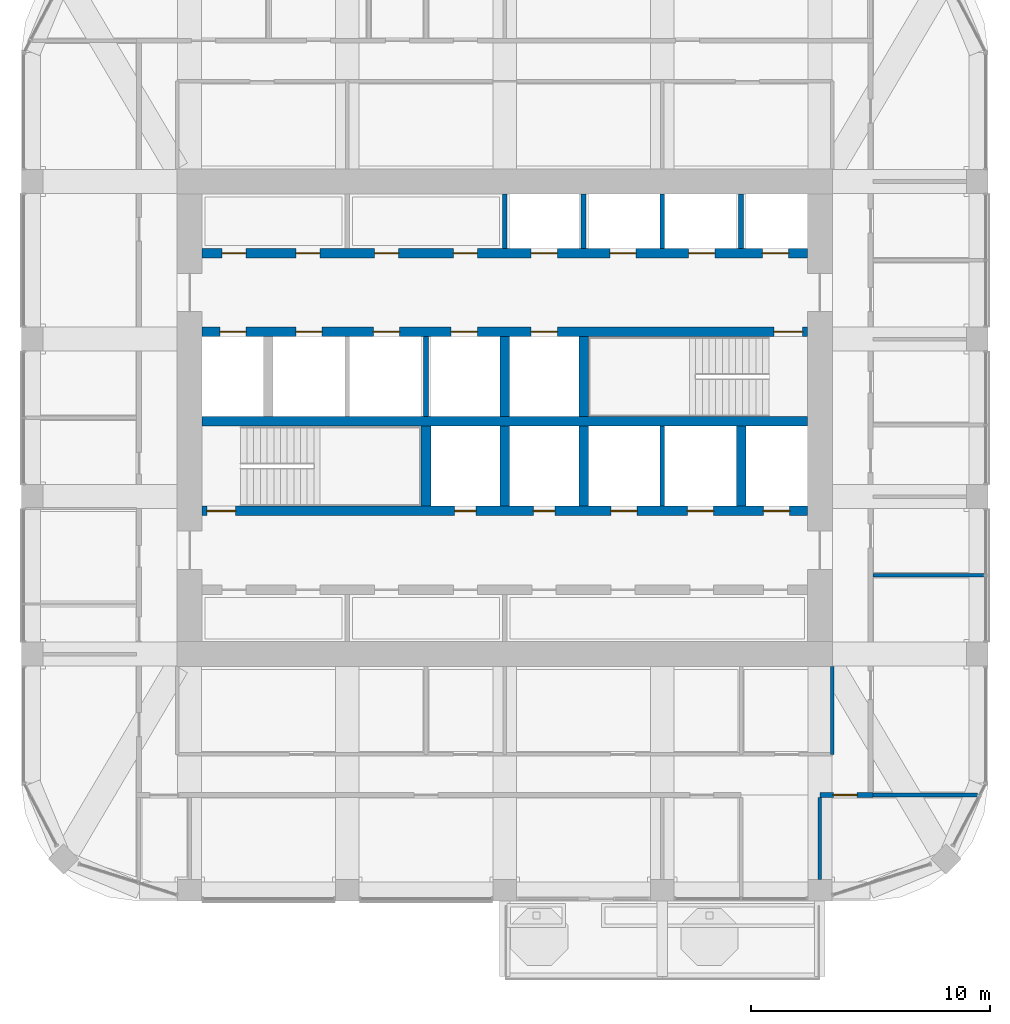
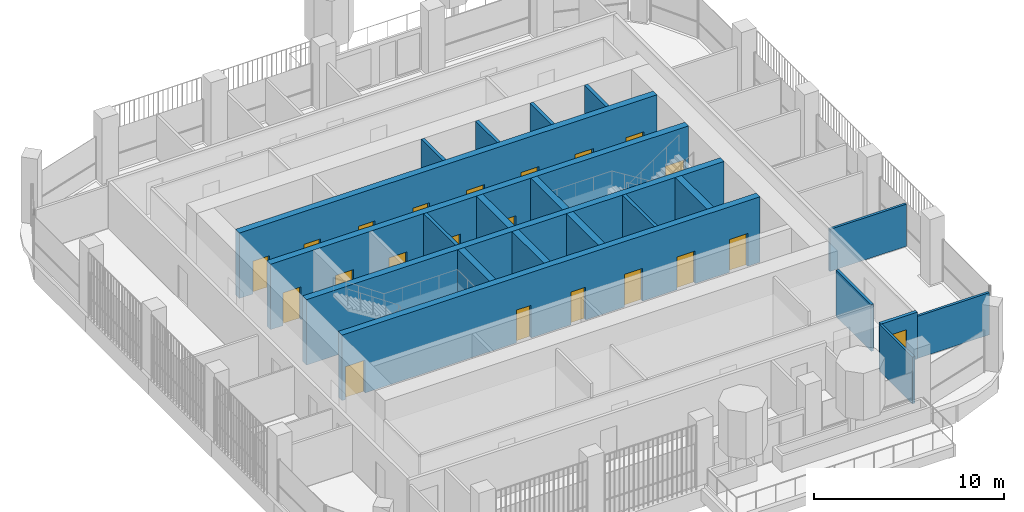
# One storey, part 15 of 21: 21 doors, 21 walls, 21 openings.
"""IFC4 building model written with IfcOpenShell, lengths in metres."""

from ifc_helpers import new_model, si_unit, direction, frame, frame_2d, origin, place, context, subcontext, project, spatial, rectangle, extrude, material, layer, layer_set, type_object, element, fill, save


model = new_model("IFC4")

# Units and contexts
model_context = context("Model", 3, precision=1e-05, world=origin(), true_north=direction((0.0, 1.0)))
body_context = subcontext(model_context, "Body", "Model", "MODEL_VIEW")
ifc_project = project(units=[si_unit("LENGTHUNIT", "METRE"), si_unit("AREAUNIT", "SQUARE_METRE"), si_unit("VOLUMEUNIT", "CUBIC_METRE"), si_unit("PLANEANGLEUNIT", "RADIAN"), si_unit("MASSUNIT", "GRAM", prefix="KILO")], contexts=[model_context])

# Site, building, storey
site_placement = place(None, origin())
site = spatial("IfcSite", under=ifc_project, at=site_placement, CompositionType="ELEMENT")
building_placement = place(site_placement, origin())
building = spatial("IfcBuilding", under=site, at=building_placement, Name="Cobogo Forest Laboratory Tower", CompositionType="ELEMENT")
storey_placement = place(building_placement, frame((0.0, 0.0, 275.39990234375)))
storey = spatial("IfcBuildingStorey", under=building, at=storey_placement, Name="L63", CompositionType="ELEMENT", Elevation=275.39990234375)

# Wall, openings, doors
ifc_material_1 = material(Name="Concrete HA-50 (C50/60)", Category="concrete")
ifc_layer_1 = layer(ifc_material_1, 0.39990234375)
ifc_layer_set_1 = layer_set([ifc_layer_1], Name="CI400 core inner wall 400")
wall_type_1 = type_object("IfcWallType", Name="CI400 core inner wall 400", PredefinedType="SHEAR", material=ifc_layer_set_1)
wall_1_placement = place(storey_placement, frame((13.72509765625, 19.199951171875, 0.0), z_axis=(0.0, 0.0, 1.0), x_axis=(1.0, 0.0, 0.0)))
wall_1 = element("IfcWall", 1, at=wall_1_placement, inside=storey, type_object=wall_type_1, Name="Core wall CI-19.2 L63", PredefinedType="SHEAR", context=body_context, shape_type="SweptSolid", body=[
    extrude(rectangle(XDim=25.349853515625, YDim=0.39990234375, at=frame_2d((12.6748046875, 0.0))), origin(), (0.0, 0.0, 1.0), 4.2001953125),
])
opening_1_placement = place(wall_1_placement, frame((10.574951171875, 0.0, 0.0)))
opening_1 = element("IfcOpeningElement", 2, at=opening_1_placement, cuts=wall_1, Name="Opening L63-D26", PredefinedType="OPENING", context=body_context, shape_type="SweptSolid", body=[
    extrude(rectangle(XDim=0.89990234375, YDim=2.10009765625, at=frame_2d((0.449951171875, 1.050048828125))), frame((0.0, 0.2099609375, 0.0), z_axis=(0.0, -1.0, 0.0), x_axis=(1.0, 0.0, 0.0)), (0.0, 0.0, 1.0), 0.419921875),
])
opening_2_placement = place(wall_1_placement, frame((13.875, 0.0, 0.0)))
opening_2 = element("IfcOpeningElement", 3, at=opening_2_placement, cuts=wall_1, Name="Opening L63-D27", PredefinedType="OPENING", context=body_context, shape_type="SweptSolid", body=[
    extrude(rectangle(XDim=0.89990234375, YDim=2.10009765625, at=frame_2d((0.449951171875, 1.050048828125))), frame((0.0, 0.2099609375, 0.0), z_axis=(0.0, -1.0, 0.0), x_axis=(1.0, 0.0, 0.0)), (0.0, 0.0, 1.0), 0.419921875),
])
opening_3_placement = place(wall_1_placement, frame((0.199951171875, 0.0, 0.0)))
opening_3 = element("IfcOpeningElement", 4, at=opening_3_placement, cuts=wall_1, Name="Opening L63-D25", PredefinedType="OPENING", context=body_context, shape_type="SweptSolid", body=[
    extrude(rectangle(XDim=1.199951171875, YDim=2.10009765625, at=frame_2d((0.60009765625, 1.050048828125))), frame((0.0, 0.2099609375, 0.0), z_axis=(0.0, -1.0, 0.0), x_axis=(1.0, 0.0, 0.0)), (0.0, 0.0, 1.0), 0.419921875),
])
opening_4_placement = place(wall_1_placement, frame((23.512451171875, 0.0, 0.0)))
opening_4 = element("IfcOpeningElement", 5, at=opening_4_placement, cuts=wall_1, Name="Opening L63-LD-FL2", PredefinedType="OPENING", context=body_context, shape_type="SweptSolid", body=[
    extrude(rectangle(XDim=1.10009765625, YDim=2.10009765625, at=frame_2d((0.550048828125, 1.050048828125))), frame((0.0, 0.2099609375, 0.0), z_axis=(0.0, -1.0, 0.0), x_axis=(1.0, 0.0, 0.0)), (0.0, 0.0, 1.0), 0.419921875),
])
opening_5_placement = place(wall_1_placement, frame((17.125, 0.0, 0.0)))
opening_5 = element("IfcOpeningElement", 6, at=opening_5_placement, cuts=wall_1, Name="Opening L63-LD-LS1", PredefinedType="OPENING", context=body_context, shape_type="SweptSolid", body=[
    extrude(rectangle(XDim=1.10009765625, YDim=2.10009765625, at=frame_2d((0.550048828125, 1.050048828125))), frame((0.0, 0.2099609375, 0.0), z_axis=(0.0, -1.0, 0.0), x_axis=(1.0, 0.0, 0.0)), (0.0, 0.0, 1.0), 0.419921875),
])
opening_6_placement = place(wall_1_placement, frame((20.324951171875, 0.0, 0.0)))
opening_6 = element("IfcOpeningElement", 7, at=opening_6_placement, cuts=wall_1, Name="Opening L63-LD-LS2", PredefinedType="OPENING", context=body_context, shape_type="SweptSolid", body=[
    extrude(rectangle(XDim=1.10009765625, YDim=2.10009765625, at=frame_2d((0.550048828125, 1.050048828125))), frame((0.0, 0.2099609375, 0.0), z_axis=(0.0, -1.0, 0.0), x_axis=(1.0, 0.0, 0.0)), (0.0, 0.0, 1.0), 0.419921875),
])
ifc_material_2 = material(Name="Steel fire door", Category="steel")
door_type_1 = type_object("IfcDoorType", Name="DS1 protected stair door 1200 EI2 60", OperationType="SINGLE_SWING_LEFT", PredefinedType="DOOR", material=ifc_material_2)
door_1_placement = place(opening_3_placement, origin())
door_1 = element("IfcDoor", 8, at=door_1_placement, inside=storey, type_object=door_type_1, Name="Door L63-ST1", OperationType="SINGLE_SWING_LEFT", OverallHeight=2.10009765625, OverallWidth=1.199951171875, PredefinedType="DOOR", context=body_context, shape_type="SweptSolid", body=[
    extrude(rectangle(XDim=1.199951171875, YDim=2.10009765625, at=frame_2d((0.60009765625, 1.050048828125))), frame((0.0, 0.02490234375, 0.0), z_axis=(0.0, -1.0, 0.0), x_axis=(1.0, 0.0, 0.0)), (0.0, 0.0, 1.0), 0.050048828125),
])
fill(opening_3, door_1)
door_type_2 = type_object("IfcDoorType", Name="FD4 riser access door 900 EI2 60", OperationType="SINGLE_SWING_LEFT", PredefinedType="DOOR", material=ifc_material_2)
door_2_placement = place(opening_1_placement, origin())
door_2 = element("IfcDoor", 9, at=door_2_placement, inside=storey, type_object=door_type_2, Name="Door L63-R1", OperationType="SINGLE_SWING_LEFT", OverallHeight=2.10009765625, OverallWidth=0.89990234375, PredefinedType="DOOR", context=body_context, shape_type="SweptSolid", body=[
    extrude(rectangle(XDim=0.89990234375, YDim=2.10009765625, at=frame_2d((0.449951171875, 1.050048828125))), frame((0.0, 0.02490234375, 0.0), z_axis=(0.0, -1.0, 0.0), x_axis=(1.0, 0.0, 0.0)), (0.0, 0.0, 1.0), 0.050048828125),
])
fill(opening_1, door_2)
door_3_placement = place(opening_2_placement, origin())
door_3 = element("IfcDoor", 10, at=door_3_placement, inside=storey, type_object=door_type_2, Name="Door L63-R2", OperationType="SINGLE_SWING_RIGHT", OverallHeight=2.10009765625, OverallWidth=0.89990234375, PredefinedType="DOOR", context=body_context, shape_type="SweptSolid", body=[
    extrude(rectangle(XDim=0.89990234375, YDim=2.10009765625, at=frame_2d((0.449951171875, 1.050048828125))), frame((0.0, 0.02490234375, 0.0), z_axis=(0.0, -1.0, 0.0), x_axis=(1.0, 0.0, 0.0)), (0.0, 0.0, 1.0), 0.050048828125),
])
fill(opening_2, door_3)
ifc_material_3 = material(Name="Stainless steel lift door", Category="steel")
door_type_3 = type_object("IfcDoorType", Name="LD lift landing door 1100", OperationType="DOUBLE_DOOR_SLIDING", PredefinedType="DOOR", material=ifc_material_3)
door_4_placement = place(opening_4_placement, origin())
door_4 = element("IfcDoor", 11, at=door_4_placement, inside=storey, type_object=door_type_3, Name="Lift landing door FL2 L63", OperationType="DOUBLE_DOOR_SLIDING", OverallHeight=2.10009765625, OverallWidth=1.10009765625, PredefinedType="DOOR", context=body_context, shape_type="SweptSolid", body=[
    extrude(rectangle(XDim=1.10009765625, YDim=2.10009765625, at=frame_2d((0.550048828125, 1.050048828125))), frame((0.0, 0.02490234375, 0.0), z_axis=(0.0, -1.0, 0.0), x_axis=(1.0, 0.0, 0.0)), (0.0, 0.0, 1.0), 0.050048828125),
])
fill(opening_4, door_4)
door_5_placement = place(opening_5_placement, origin())
door_5 = element("IfcDoor", 12, at=door_5_placement, inside=storey, type_object=door_type_3, Name="Lift landing door LS1 L63", OperationType="DOUBLE_DOOR_SLIDING", OverallHeight=2.10009765625, OverallWidth=1.10009765625, PredefinedType="DOOR", context=body_context, shape_type="SweptSolid", body=[
    extrude(rectangle(XDim=1.10009765625, YDim=2.10009765625, at=frame_2d((0.550048828125, 1.050048828125))), frame((0.0, 0.02490234375, 0.0), z_axis=(0.0, -1.0, 0.0), x_axis=(1.0, 0.0, 0.0)), (0.0, 0.0, 1.0), 0.050048828125),
])
fill(opening_5, door_5)
door_6_placement = place(opening_6_placement, origin())
door_6 = element("IfcDoor", 13, at=door_6_placement, inside=storey, type_object=door_type_3, Name="Lift landing door LS2 L63", OperationType="DOUBLE_DOOR_SLIDING", OverallHeight=2.10009765625, OverallWidth=1.10009765625, PredefinedType="DOOR", context=body_context, shape_type="SweptSolid", body=[
    extrude(rectangle(XDim=1.10009765625, YDim=2.10009765625, at=frame_2d((0.550048828125, 1.050048828125))), frame((0.0, 0.02490234375, 0.0), z_axis=(0.0, -1.0, 0.0), x_axis=(1.0, 0.0, 0.0)), (0.0, 0.0, 1.0), 0.050048828125),
])
fill(opening_6, door_6)

# Wall
wall_2_placement = place(storey_placement, frame((13.72509765625, 22.949951171875, 0.0), z_axis=(0.0, 0.0, 1.0), x_axis=(1.0, 0.0, 0.0)))
element("IfcWall", 14, at=wall_2_placement, inside=storey, type_object=wall_type_1, Name="Core wall CI-22.95 L63", PredefinedType="SHEAR", context=body_context, shape_type="SweptSolid", body=[
    extrude(rectangle(XDim=25.349853515625, YDim=0.39990234375, at=frame_2d((12.6748046875, 0.0))), origin(), (0.0, 0.0, 1.0), 4.2001953125),
])

# Wall, openings, doors
wall_3_placement = place(storey_placement, frame((13.72509765625, 26.699951171875, 0.0), z_axis=(0.0, 0.0, 1.0), x_axis=(1.0, 0.0, 0.0)))
wall_3 = element("IfcWall", 15, at=wall_3_placement, inside=storey, type_object=wall_type_1, Name="Core wall CI-26.7 L63", PredefinedType="SHEAR", context=body_context, shape_type="SweptSolid", body=[
    extrude(rectangle(XDim=25.349853515625, YDim=0.39990234375, at=frame_2d((12.6748046875, 0.0))), origin(), (0.0, 0.0, 1.0), 4.2001953125),
])
opening_7_placement = place(wall_3_placement, frame((23.949951171875, 0.0, 0.0)))
opening_7 = element("IfcOpeningElement", 16, at=opening_7_placement, cuts=wall_3, Name="Opening L63-D31", PredefinedType="OPENING", context=body_context, shape_type="SweptSolid", body=[
    extrude(rectangle(XDim=1.199951171875, YDim=2.10009765625, at=frame_2d((0.60009765625, 1.050048828125))), frame((0.0, 0.2099609375, 0.0), z_axis=(0.0, -1.0, 0.0), x_axis=(1.0, 0.0, 0.0)), (0.0, 0.0, 1.0), 0.419921875),
])
opening_8_placement = place(wall_3_placement, frame((0.737548828125, 0.0, 0.0)))
opening_8 = element("IfcOpeningElement", 17, at=opening_8_placement, cuts=wall_3, Name="Opening L63-LD-FL1", PredefinedType="OPENING", context=body_context, shape_type="SweptSolid", body=[
    extrude(rectangle(XDim=1.10009765625, YDim=2.10009765625, at=frame_2d((0.550048828125, 1.050048828125))), frame((0.0, 0.2099609375, 0.0), z_axis=(0.0, -1.0, 0.0), x_axis=(1.0, 0.0, 0.0)), (0.0, 0.0, 1.0), 0.419921875),
])
opening_9_placement = place(wall_3_placement, frame((3.925048828125, 0.0, 0.0)))
opening_9 = element("IfcOpeningElement", 18, at=opening_9_placement, cuts=wall_3, Name="Opening L63-LD-LS3", PredefinedType="OPENING", context=body_context, shape_type="SweptSolid", body=[
    extrude(rectangle(XDim=1.10009765625, YDim=2.10009765625, at=frame_2d((0.550048828125, 1.050048828125))), frame((0.0, 0.2099609375, 0.0), z_axis=(0.0, -1.0, 0.0), x_axis=(1.0, 0.0, 0.0)), (0.0, 0.0, 1.0), 0.419921875),
])
opening_10_placement = place(wall_3_placement, frame((7.175048828125, 0.0, 0.0)))
opening_10 = element("IfcOpeningElement", 19, at=opening_10_placement, cuts=wall_3, Name="Opening L63-LD-LS4", PredefinedType="OPENING", context=body_context, shape_type="SweptSolid", body=[
    extrude(rectangle(XDim=1.10009765625, YDim=2.10009765625, at=frame_2d((0.550048828125, 1.050048828125))), frame((0.0, 0.2099609375, 0.0), z_axis=(0.0, -1.0, 0.0), x_axis=(1.0, 0.0, 0.0)), (0.0, 0.0, 1.0), 0.419921875),
])
opening_11_placement = place(wall_3_placement, frame((10.425048828125, 0.0, 0.0)))
opening_11 = element("IfcOpeningElement", 20, at=opening_11_placement, cuts=wall_3, Name="Opening L63-LD-LS5", PredefinedType="OPENING", context=body_context, shape_type="SweptSolid", body=[
    extrude(rectangle(XDim=1.10009765625, YDim=2.10009765625, at=frame_2d((0.550048828125, 1.050048828125))), frame((0.0, 0.2099609375, 0.0), z_axis=(0.0, -1.0, 0.0), x_axis=(1.0, 0.0, 0.0)), (0.0, 0.0, 1.0), 0.419921875),
])
opening_12_placement = place(wall_3_placement, frame((13.77490234375, 0.0, 0.0)))
opening_12 = element("IfcOpeningElement", 21, at=opening_12_placement, cuts=wall_3, Name="Opening L63-LD-LS6", PredefinedType="OPENING", context=body_context, shape_type="SweptSolid", body=[
    extrude(rectangle(XDim=1.10009765625, YDim=2.10009765625, at=frame_2d((0.550048828125, 1.050048828125))), frame((0.0, 0.2099609375, 0.0), z_axis=(0.0, -1.0, 0.0), x_axis=(1.0, 0.0, 0.0)), (0.0, 0.0, 1.0), 0.419921875),
])
door_7_placement = place(opening_7_placement, origin())
door_7 = element("IfcDoor", 22, at=door_7_placement, inside=storey, type_object=door_type_1, Name="Door L63-ST2", OperationType="SINGLE_SWING_RIGHT", OverallHeight=2.10009765625, OverallWidth=1.199951171875, PredefinedType="DOOR", context=body_context, shape_type="SweptSolid", body=[
    extrude(rectangle(XDim=1.199951171875, YDim=2.10009765625, at=frame_2d((0.60009765625, 1.050048828125))), frame((0.0, 0.02490234375, 0.0), z_axis=(0.0, -1.0, 0.0), x_axis=(1.0, 0.0, 0.0)), (0.0, 0.0, 1.0), 0.050048828125),
])
fill(opening_7, door_7)
door_8_placement = place(opening_8_placement, origin())
door_8 = element("IfcDoor", 23, at=door_8_placement, inside=storey, type_object=door_type_3, Name="Lift landing door FL1 L63", OperationType="DOUBLE_DOOR_SLIDING", OverallHeight=2.10009765625, OverallWidth=1.10009765625, PredefinedType="DOOR", context=body_context, shape_type="SweptSolid", body=[
    extrude(rectangle(XDim=1.10009765625, YDim=2.10009765625, at=frame_2d((0.550048828125, 1.050048828125))), frame((0.0, 0.02490234375, 0.0), z_axis=(0.0, -1.0, 0.0), x_axis=(1.0, 0.0, 0.0)), (0.0, 0.0, 1.0), 0.050048828125),
])
fill(opening_8, door_8)
door_9_placement = place(opening_9_placement, origin())
door_9 = element("IfcDoor", 24, at=door_9_placement, inside=storey, type_object=door_type_3, Name="Lift landing door LS3 L63", OperationType="DOUBLE_DOOR_SLIDING", OverallHeight=2.10009765625, OverallWidth=1.10009765625, PredefinedType="DOOR", context=body_context, shape_type="SweptSolid", body=[
    extrude(rectangle(XDim=1.10009765625, YDim=2.10009765625, at=frame_2d((0.550048828125, 1.050048828125))), frame((0.0, 0.02490234375, 0.0), z_axis=(0.0, -1.0, 0.0), x_axis=(1.0, 0.0, 0.0)), (0.0, 0.0, 1.0), 0.050048828125),
])
fill(opening_9, door_9)
door_10_placement = place(opening_10_placement, origin())
door_10 = element("IfcDoor", 25, at=door_10_placement, inside=storey, type_object=door_type_3, Name="Lift landing door LS4 L63", OperationType="DOUBLE_DOOR_SLIDING", OverallHeight=2.10009765625, OverallWidth=1.10009765625, PredefinedType="DOOR", context=body_context, shape_type="SweptSolid", body=[
    extrude(rectangle(XDim=1.10009765625, YDim=2.10009765625, at=frame_2d((0.550048828125, 1.050048828125))), frame((0.0, 0.02490234375, 0.0), z_axis=(0.0, -1.0, 0.0), x_axis=(1.0, 0.0, 0.0)), (0.0, 0.0, 1.0), 0.050048828125),
])
fill(opening_10, door_10)
door_11_placement = place(opening_11_placement, origin())
door_11 = element("IfcDoor", 26, at=door_11_placement, inside=storey, type_object=door_type_3, Name="Lift landing door LS5 L63", OperationType="DOUBLE_DOOR_SLIDING", OverallHeight=2.10009765625, OverallWidth=1.10009765625, PredefinedType="DOOR", context=body_context, shape_type="SweptSolid", body=[
    extrude(rectangle(XDim=1.10009765625, YDim=2.10009765625, at=frame_2d((0.550048828125, 1.050048828125))), frame((0.0, 0.02490234375, 0.0), z_axis=(0.0, -1.0, 0.0), x_axis=(1.0, 0.0, 0.0)), (0.0, 0.0, 1.0), 0.050048828125),
])
fill(opening_11, door_11)
door_12_placement = place(opening_12_placement, origin())
door_12 = element("IfcDoor", 27, at=door_12_placement, inside=storey, type_object=door_type_3, Name="Lift landing door LS6 L63", OperationType="DOUBLE_DOOR_SLIDING", OverallHeight=2.10009765625, OverallWidth=1.10009765625, PredefinedType="DOOR", context=body_context, shape_type="SweptSolid", body=[
    extrude(rectangle(XDim=1.10009765625, YDim=2.10009765625, at=frame_2d((0.550048828125, 1.050048828125))), frame((0.0, 0.02490234375, 0.0), z_axis=(0.0, -1.0, 0.0), x_axis=(1.0, 0.0, 0.0)), (0.0, 0.0, 1.0), 0.050048828125),
])
fill(opening_12, door_12)

wall_4_placement = place(storey_placement, frame((13.72509765625, 30.0, 0.0), z_axis=(0.0, 0.0, 1.0), x_axis=(1.0, 0.0, 0.0)))
wall_4 = element("IfcWall", 28, at=wall_4_placement, inside=storey, type_object=wall_type_1, Name="Core wall CI-30.0 L63", PredefinedType="SHEAR", context=body_context, shape_type="SweptSolid", body=[
    extrude(rectangle(XDim=25.349853515625, YDim=0.39990234375, at=frame_2d((12.6748046875, 0.0))), origin(), (0.0, 0.0, 1.0), 4.2001953125),
])
opening_13_placement = place(wall_4_placement, frame((0.83740234375, 0.0, 0.0)))
opening_13 = element("IfcOpeningElement", 29, at=opening_13_placement, cuts=wall_4, Name="Opening L63-D35", PredefinedType="OPENING", context=body_context, shape_type="SweptSolid", body=[
    extrude(rectangle(XDim=1.0, YDim=2.10009765625, at=frame_2d((0.5, 1.050048828125))), frame((0.0, 0.2099609375, 0.0), z_axis=(0.0, -1.0, 0.0), x_axis=(1.0, 0.0, 0.0)), (0.0, 0.0, 1.0), 0.419921875),
])
opening_14_placement = place(wall_4_placement, frame((3.925048828125, 0.0, 0.0)))
opening_14 = element("IfcOpeningElement", 30, at=opening_14_placement, cuts=wall_4, Name="Opening L63-D36", PredefinedType="OPENING", context=body_context, shape_type="SweptSolid", body=[
    extrude(rectangle(XDim=1.0, YDim=2.10009765625, at=frame_2d((0.5, 1.050048828125))), frame((0.0, 0.2099609375, 0.0), z_axis=(0.0, -1.0, 0.0), x_axis=(1.0, 0.0, 0.0)), (0.0, 0.0, 1.0), 0.419921875),
])
opening_15_placement = place(wall_4_placement, frame((7.22509765625, 0.0, 0.0)))
opening_15 = element("IfcOpeningElement", 31, at=opening_15_placement, cuts=wall_4, Name="Opening L63-D37", PredefinedType="OPENING", context=body_context, shape_type="SweptSolid", body=[
    extrude(rectangle(XDim=1.0, YDim=2.10009765625, at=frame_2d((0.5, 1.050048828125))), frame((0.0, 0.2099609375, 0.0), z_axis=(0.0, -1.0, 0.0), x_axis=(1.0, 0.0, 0.0)), (0.0, 0.0, 1.0), 0.419921875),
])
opening_16_placement = place(wall_4_placement, frame((10.52490234375, 0.0, 0.0)))
opening_16 = element("IfcOpeningElement", 32, at=opening_16_placement, cuts=wall_4, Name="Opening L63-D38", PredefinedType="OPENING", context=body_context, shape_type="SweptSolid", body=[
    extrude(rectangle(XDim=1.0, YDim=2.10009765625, at=frame_2d((0.5, 1.050048828125))), frame((0.0, 0.2099609375, 0.0), z_axis=(0.0, -1.0, 0.0), x_axis=(1.0, 0.0, 0.0)), (0.0, 0.0, 1.0), 0.419921875),
])
opening_17_placement = place(wall_4_placement, frame((13.77490234375, 0.0, 0.0)))
opening_17 = element("IfcOpeningElement", 33, at=opening_17_placement, cuts=wall_4, Name="Opening L63-LD-LD1", PredefinedType="OPENING", context=body_context, shape_type="SweptSolid", body=[
    extrude(rectangle(XDim=1.10009765625, YDim=2.10009765625, at=frame_2d((0.550048828125, 1.050048828125))), frame((0.0, 0.2099609375, 0.0), z_axis=(0.0, -1.0, 0.0), x_axis=(1.0, 0.0, 0.0)), (0.0, 0.0, 1.0), 0.419921875),
])
opening_18_placement = place(wall_4_placement, frame((17.074951171875, 0.0, 0.0)))
opening_18 = element("IfcOpeningElement", 34, at=opening_18_placement, cuts=wall_4, Name="Opening L63-LD-LD2", PredefinedType="OPENING", context=body_context, shape_type="SweptSolid", body=[
    extrude(rectangle(XDim=1.10009765625, YDim=2.10009765625, at=frame_2d((0.550048828125, 1.050048828125))), frame((0.0, 0.2099609375, 0.0), z_axis=(0.0, -1.0, 0.0), x_axis=(1.0, 0.0, 0.0)), (0.0, 0.0, 1.0), 0.419921875),
])
opening_19_placement = place(wall_4_placement, frame((20.375, 0.0, 0.0)))
opening_19 = element("IfcOpeningElement", 35, at=opening_19_placement, cuts=wall_4, Name="Opening L63-LD-LD3", PredefinedType="OPENING", context=body_context, shape_type="SweptSolid", body=[
    extrude(rectangle(XDim=1.10009765625, YDim=2.10009765625, at=frame_2d((0.550048828125, 1.050048828125))), frame((0.0, 0.2099609375, 0.0), z_axis=(0.0, -1.0, 0.0), x_axis=(1.0, 0.0, 0.0)), (0.0, 0.0, 1.0), 0.419921875),
])
opening_20_placement = place(wall_4_placement, frame((23.46240234375, 0.0, 0.0)))
opening_20 = element("IfcOpeningElement", 36, at=opening_20_placement, cuts=wall_4, Name="Opening L63-LD-LD4", PredefinedType="OPENING", context=body_context, shape_type="SweptSolid", body=[
    extrude(rectangle(XDim=1.10009765625, YDim=2.10009765625, at=frame_2d((0.550048828125, 1.050048828125))), frame((0.0, 0.2099609375, 0.0), z_axis=(0.0, -1.0, 0.0), x_axis=(1.0, 0.0, 0.0)), (0.0, 0.0, 1.0), 0.419921875),
])
door_type_4 = type_object("IfcDoorType", Name="FD1 fire door 1000 EI2 60", OperationType="SINGLE_SWING_LEFT", PredefinedType="DOOR", material=ifc_material_2)
door_13_placement = place(opening_13_placement, origin())
door_13 = element("IfcDoor", 37, at=door_13_placement, inside=storey, type_object=door_type_4, Name="Door L63-SH-LC1", OperationType="SINGLE_SWING_LEFT", OverallHeight=2.10009765625, OverallWidth=1.0, PredefinedType="DOOR", context=body_context, shape_type="SweptSolid", body=[
    extrude(rectangle(XDim=1.0, YDim=2.10009765625, at=frame_2d((0.5, 1.050048828125))), frame((0.0, 0.02490234375, 0.0), z_axis=(0.0, -1.0, 0.0), x_axis=(1.0, 0.0, 0.0)), (0.0, 0.0, 1.0), 0.050048828125),
])
fill(opening_13, door_13)
door_14_placement = place(opening_14_placement, origin())
door_14 = element("IfcDoor", 38, at=door_14_placement, inside=storey, type_object=door_type_4, Name="Door L63-SH-LC2", OperationType="SINGLE_SWING_LEFT", OverallHeight=2.10009765625, OverallWidth=1.0, PredefinedType="DOOR", context=body_context, shape_type="SweptSolid", body=[
    extrude(rectangle(XDim=1.0, YDim=2.10009765625, at=frame_2d((0.5, 1.050048828125))), frame((0.0, 0.02490234375, 0.0), z_axis=(0.0, -1.0, 0.0), x_axis=(1.0, 0.0, 0.0)), (0.0, 0.0, 1.0), 0.050048828125),
])
fill(opening_14, door_14)
door_15_placement = place(opening_15_placement, origin())
door_15 = element("IfcDoor", 39, at=door_15_placement, inside=storey, type_object=door_type_4, Name="Door L63-SH-LC3", OperationType="SINGLE_SWING_LEFT", OverallHeight=2.10009765625, OverallWidth=1.0, PredefinedType="DOOR", context=body_context, shape_type="SweptSolid", body=[
    extrude(rectangle(XDim=1.0, YDim=2.10009765625, at=frame_2d((0.5, 1.050048828125))), frame((0.0, 0.02490234375, 0.0), z_axis=(0.0, -1.0, 0.0), x_axis=(1.0, 0.0, 0.0)), (0.0, 0.0, 1.0), 0.050048828125),
])
fill(opening_15, door_15)
door_16_placement = place(opening_16_placement, origin())
door_16 = element("IfcDoor", 40, at=door_16_placement, inside=storey, type_object=door_type_4, Name="Door L63-SH-LC4", OperationType="SINGLE_SWING_LEFT", OverallHeight=2.10009765625, OverallWidth=1.0, PredefinedType="DOOR", context=body_context, shape_type="SweptSolid", body=[
    extrude(rectangle(XDim=1.0, YDim=2.10009765625, at=frame_2d((0.5, 1.050048828125))), frame((0.0, 0.02490234375, 0.0), z_axis=(0.0, -1.0, 0.0), x_axis=(1.0, 0.0, 0.0)), (0.0, 0.0, 1.0), 0.050048828125),
])
fill(opening_16, door_16)
door_17_placement = place(opening_17_placement, origin())
door_17 = element("IfcDoor", 41, at=door_17_placement, inside=storey, type_object=door_type_3, Name="Lift landing door LD1 L63", OperationType="DOUBLE_DOOR_SLIDING", OverallHeight=2.10009765625, OverallWidth=1.10009765625, PredefinedType="DOOR", context=body_context, shape_type="SweptSolid", body=[
    extrude(rectangle(XDim=1.10009765625, YDim=2.10009765625, at=frame_2d((0.550048828125, 1.050048828125))), frame((0.0, 0.02490234375, 0.0), z_axis=(0.0, -1.0, 0.0), x_axis=(1.0, 0.0, 0.0)), (0.0, 0.0, 1.0), 0.050048828125),
])
fill(opening_17, door_17)
door_18_placement = place(opening_18_placement, origin())
door_18 = element("IfcDoor", 42, at=door_18_placement, inside=storey, type_object=door_type_3, Name="Lift landing door LD2 L63", OperationType="DOUBLE_DOOR_SLIDING", OverallHeight=2.10009765625, OverallWidth=1.10009765625, PredefinedType="DOOR", context=body_context, shape_type="SweptSolid", body=[
    extrude(rectangle(XDim=1.10009765625, YDim=2.10009765625, at=frame_2d((0.550048828125, 1.050048828125))), frame((0.0, 0.02490234375, 0.0), z_axis=(0.0, -1.0, 0.0), x_axis=(1.0, 0.0, 0.0)), (0.0, 0.0, 1.0), 0.050048828125),
])
fill(opening_18, door_18)
door_19_placement = place(opening_19_placement, origin())
door_19 = element("IfcDoor", 43, at=door_19_placement, inside=storey, type_object=door_type_3, Name="Lift landing door LD3 L63", OperationType="DOUBLE_DOOR_SLIDING", OverallHeight=2.10009765625, OverallWidth=1.10009765625, PredefinedType="DOOR", context=body_context, shape_type="SweptSolid", body=[
    extrude(rectangle(XDim=1.10009765625, YDim=2.10009765625, at=frame_2d((0.550048828125, 1.050048828125))), frame((0.0, 0.02490234375, 0.0), z_axis=(0.0, -1.0, 0.0), x_axis=(1.0, 0.0, 0.0)), (0.0, 0.0, 1.0), 0.050048828125),
])
fill(opening_19, door_19)
door_20_placement = place(opening_20_placement, origin())
door_20 = element("IfcDoor", 44, at=door_20_placement, inside=storey, type_object=door_type_3, Name="Lift landing door LD4 L63", OperationType="DOUBLE_DOOR_SLIDING", OverallHeight=2.10009765625, OverallWidth=1.10009765625, PredefinedType="DOOR", context=body_context, shape_type="SweptSolid", body=[
    extrude(rectangle(XDim=1.10009765625, YDim=2.10009765625, at=frame_2d((0.550048828125, 1.050048828125))), frame((0.0, 0.02490234375, 0.0), z_axis=(0.0, -1.0, 0.0), x_axis=(1.0, 0.0, 0.0)), (0.0, 0.0, 1.0), 0.050048828125),
])
fill(opening_20, door_20)

# Walls
for number, where, z_axis, x_axis, name in (
    (45, (23.10009765625, 19.39990234375, 0.0), (0.0, 0.0, 1.0), (0.0, 1.0, 0.0), "Core wall CX-23.1 L63"),
    (46, (26.39990234375, 19.39990234375, 0.0), (0.0, 0.0, 1.0), (0.0, 1.0, 0.0), "Core wall CX-26.4S L63"),
    (47, (29.699951171875, 19.39990234375, 0.0), (0.0, 0.0, 1.0), (0.0, 1.0, 0.0), "Core wall CX-29.7S L63"),
    (48, (36.300048828125, 19.39990234375, 0.0), (0.0, 0.0, 1.0), (0.0, 1.0, 0.0), "Core wall CX-36.3 L63"),
    (49, (26.39990234375, 23.14990234375, 0.0), (0.0, 0.0, 1.0), (0.0, 1.0, 0.0), "Core wall CX-26.4N L63"),
    (50, (29.699951171875, 23.14990234375, 0.0), (0.0, 0.0, 1.0), (0.0, 1.0, 0.0), "Core wall CX-29.7N L63"),
):
    element("IfcWall", number, at=place(storey_placement, frame(where, z_axis=z_axis, x_axis=x_axis)), inside=storey, type_object=wall_type_1, Name=name, PredefinedType="SHEAR", context=body_context, shape_type="SweptSolid", body=[
        extrude(rectangle(XDim=3.35009765625, YDim=0.39990234375, at=frame_2d((1.675048828125, 0.0))), origin(), (0.0, 0.0, 1.0), 4.2001953125),
    ])
ifc_material_4 = material(Name="Gypsum board on steel studs", Category="steel")
ifc_layer_2 = layer(ifc_material_4, 0.14990234375)
ifc_layer_set_2 = layer_set([ifc_layer_2], Name="PT1 laboratory partition 150")
wall_type_2 = type_object("IfcWallType", Name="PT1 laboratory partition 150", PredefinedType="PARTITIONING", material=ifc_layer_set_2)
wall_5_placement = place(storey_placement, frame((40.125, 12.675048828125, 0.0), z_axis=(0.0, 0.0, 1.0), x_axis=(0.0, -1.0, 0.0)))
element("IfcWall", 51, at=wall_5_placement, inside=storey, type_object=wall_type_2, Name="Partition CSTRIP-SE L63", PredefinedType="PARTITIONING", context=body_context, shape_type="SweptSolid", body=[
    extrude(rectangle(XDim=3.675048828125, YDim=0.14990234375, at=frame_2d((1.83740234375, 0.0))), origin(), (0.0, 0.0, 1.0), 3.0),
])
wall_6_placement = place(storey_placement, frame((46.197509765625, 7.300048828125, 0.0), z_axis=(0.0, 0.0, 1.0), x_axis=(-1.0, 0.0, 0.0)))
element("IfcWall", 52, at=wall_6_placement, inside=storey, type_object=wall_type_2, Name="Partition PW-SE L63", PredefinedType="PARTITIONING", context=body_context, shape_type="SweptSolid", body=[
    extrude(rectangle(XDim=4.37255859375, YDim=0.14990234375, at=frame_2d((2.186279296875, 0.0))), origin(), (0.0, 0.0, 1.0), 2.7001953125),
])
wall_7_placement = place(storey_placement, frame((39.60009765625, 3.75, 0.0), z_axis=(0.0, 0.0, 1.0), x_axis=(0.0, 1.0, 0.0)))
element("IfcWall", 53, at=wall_7_placement, inside=storey, type_object=wall_type_2, Name="Partition CUT-S39.6-1 L63", PredefinedType="PARTITIONING", context=body_context, shape_type="SweptSolid", body=[
    extrude(rectangle(XDim=3.449951171875, YDim=0.14990234375, at=frame_2d((1.72509765625, 0.0))), origin(), (0.0, 0.0, 1.0), 3.0),
])
wall_8_placement = place(storey_placement, frame((46.469970703125, 16.5, 0.0), z_axis=(0.0, 0.0, 1.0), x_axis=(-1.0, 0.0, 0.0)))
element("IfcWall", 54, at=wall_8_placement, inside=storey, type_object=wall_type_2, Name="Partition CUT-E16.5-1 L63", PredefinedType="PARTITIONING", context=body_context, shape_type="SweptSolid", body=[
    extrude(rectangle(XDim=4.64501953125, YDim=0.14990234375, at=frame_2d((2.322509765625, 0.0))), origin(), (0.0, 0.0, 1.0), 2.7001953125),
])

# Wall, opening, door
ifc_layer_3 = layer(ifc_material_4, 0.199951171875)
ifc_layer_set_3 = layer_set([ifc_layer_3], Name="PT2 fire-rated corridor partition 200")
wall_type_3 = type_object("IfcWallType", Name="PT2 fire-rated corridor partition 200", PredefinedType="PARTITIONING", material=ifc_layer_set_3)
wall_9_placement = place(storey_placement, frame((39.60009765625, 7.300048828125, 0.0), z_axis=(0.0, 0.0, 1.0), x_axis=(1.0, 0.0, 0.0)))
wall_9 = element("IfcWall", 55, at=wall_9_placement, inside=storey, type_object=wall_type_3, Name="Partition CORR-S-2 L63", PredefinedType="PARTITIONING", context=body_context, shape_type="SweptSolid", body=[
    extrude(rectangle(XDim=2.224853515625, YDim=0.199951171875, at=frame_2d((1.1123046875, 0.0))), origin(), (0.0, 0.0, 1.0), 3.0),
])
opening_21_placement = place(wall_9_placement, frame((0.5625, 0.0, 0.0)))
opening_21 = element("IfcOpeningElement", 56, at=opening_21_placement, cuts=wall_9, Name="Opening L63-D05", PredefinedType="OPENING", context=body_context, shape_type="SweptSolid", body=[
    extrude(rectangle(XDim=1.0, YDim=2.10009765625, at=frame_2d((0.5, 1.050048828125))), frame((0.0, 0.10986328125, 0.0), z_axis=(0.0, -1.0, 0.0), x_axis=(1.0, 0.0, 0.0)), (0.0, 0.0, 1.0), 0.219970703125),
])
ifc_material_5 = material(Name="Timber fire door", Category="wood")
door_type_5 = type_object("IfcDoorType", Name="FD2 fire door 1000 EI2 30", OperationType="SINGLE_SWING_LEFT", PredefinedType="DOOR", material=ifc_material_5)
door_21_placement = place(opening_21_placement, origin())
door_21 = element("IfcDoor", 57, at=door_21_placement, inside=storey, type_object=door_type_5, Name="Door L63-S5", OperationType="SINGLE_SWING_LEFT", OverallHeight=2.10009765625, OverallWidth=1.0, PredefinedType="DOOR", context=body_context, shape_type="SweptSolid", body=[
    extrude(rectangle(XDim=1.0, YDim=2.10009765625, at=frame_2d((0.5, 1.050048828125))), frame((0.0, 0.02490234375, 0.0), z_axis=(0.0, -1.0, 0.0), x_axis=(1.0, 0.0, 0.0)), (0.0, 0.0, 1.0), 0.050048828125),
])
fill(opening_21, door_21)

# Walls
ifc_material_6 = material(Name="Concrete block", Category="concrete")
ifc_layer_4 = layer(ifc_material_6, 0.199951171875)
ifc_layer_set_4 = layer_set([ifc_layer_4], Name="SW200 lift shaft separator 200")
wall_type_4 = type_object("IfcWallType", Name="SW200 lift shaft separator 200", PredefinedType="PARTITIONING", material=ifc_layer_set_4)
for number, where, z_axis, x_axis, name in (
    (58, (26.39990234375, 30.199951171875, 0.0), (0.0, 0.0, 1.0), (0.0, 1.0, 0.0), "Core wall SEP-N4 L63"),
    (59, (29.699951171875, 30.199951171875, 0.0), (0.0, 0.0, 1.0), (0.0, 1.0, 0.0), "Core wall SEP-N5 L63"),
    (60, (33.0, 30.199951171875, 0.0), (0.0, 0.0, 1.0), (0.0, 1.0, 0.0), "Core wall SEP-N6 L63"),
    (61, (36.300048828125, 30.199951171875, 0.0), (0.0, 0.0, 1.0), (0.0, 1.0, 0.0), "Core wall SEP-N7 L63"),
):
    element("IfcWall", number, at=place(storey_placement, frame(where, z_axis=z_axis, x_axis=x_axis)), inside=storey, type_object=wall_type_4, Name=name, PredefinedType="PARTITIONING", context=body_context, shape_type="SweptSolid", body=[
        extrude(rectangle(XDim=2.275146484375, YDim=0.199951171875, at=frame_2d((1.1376953125, 0.0))), origin(), (0.0, 0.0, 1.0), 4.2001953125),
    ])
for number, where, z_axis, x_axis, name in (
    (62, (33.0, 19.39990234375, 0.0), (0.0, 0.0, 1.0), (0.0, 1.0, 0.0), "Core wall SEP-M33.0 L63"),
    (63, (23.10009765625, 23.14990234375, 0.0), (0.0, 0.0, 1.0), (0.0, 1.0, 0.0), "Core wall SEP-M23.1 L63"),
):
    element("IfcWall", number, at=place(storey_placement, frame(where, z_axis=z_axis, x_axis=x_axis)), inside=storey, type_object=wall_type_4, Name=name, PredefinedType="PARTITIONING", context=body_context, shape_type="SweptSolid", body=[
        extrude(rectangle(XDim=3.35009765625, YDim=0.199951171875, at=frame_2d((1.675048828125, 0.0))), origin(), (0.0, 0.0, 1.0), 4.2001953125),
    ])

save(model, "model.ifc")
